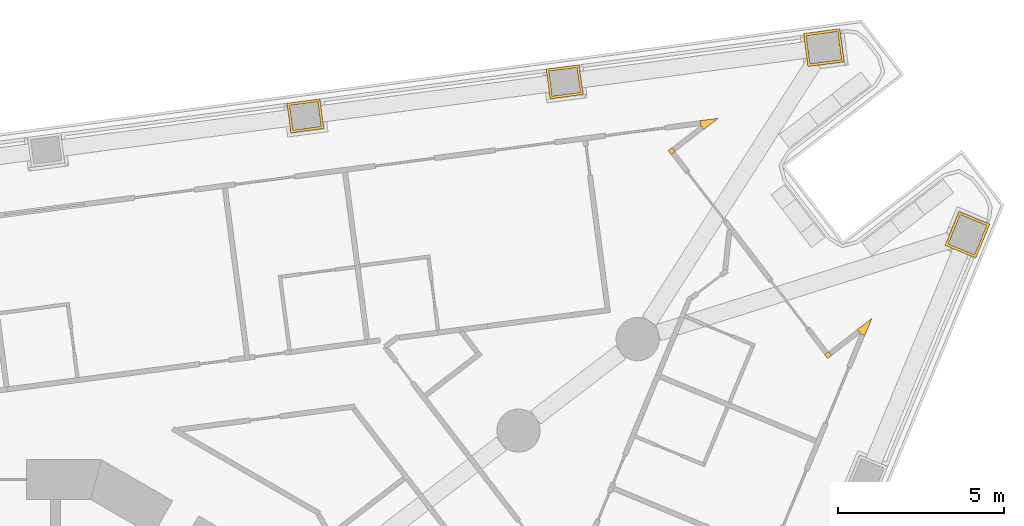
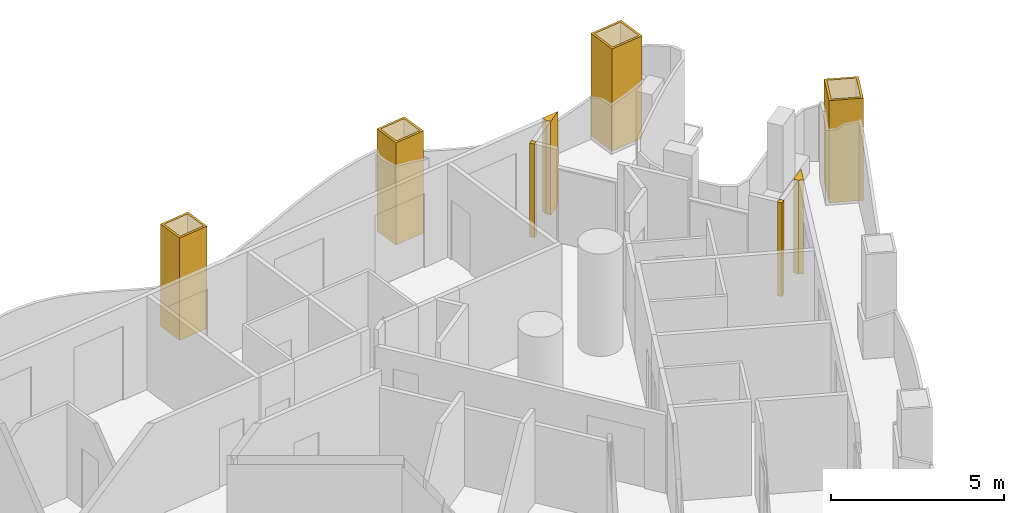
# One storey, part 18 of 19: 8 coverings.
"""IFC4 building model written with IfcOpenShell, lengths in metres."""

import ifcopenshell
import ifcopenshell.guid

model = None  # the IFC model being written
_history = None  # IfcOwnerHistory: only IFC2X3 demands one
_inside = {}  # id of a spatial element -> (the spatial element, [elements in it])
_under = {}  # id of a project, library or spatial element -> (it, [spatial elements below it])
_declared = {}  # id of a project -> (the project, [libraries it declares])
_typed = {}  # id of a type object -> (the type object, [elements of that type])
_made_of = {}  # id of a material, layer set ... -> (it, [elements and type objects made of it])


def new_model(schema):
    """Start an empty IFC model of exactly this schema.

    Asked for "IFC4X3", IfcOpenShell would pick the latest addendum, in which some entities
    have other attributes; the version numbers below select the first issue.
    IFC2X3 requires an IfcOwnerHistory on every rooted entity: one is made here for all.
    """
    global model, _history
    if schema == "IFC4X3":
        model = ifcopenshell.file(schema_version=(4, 3, 0, 0))
    else:
        model = ifcopenshell.file(schema=schema)
    _inside.clear()
    _under.clear()
    _declared.clear()
    _typed.clear()
    _made_of.clear()
    _history = None
    if model.schema == "IFC2X3":
        org = make("IfcOrganization", Name="unknown")
        user = make(
            "IfcPersonAndOrganization",
            ThePerson=make("IfcPerson", FamilyName="unknown"),
            TheOrganization=org,
        )
        app = make(
            "IfcApplication",
            ApplicationDeveloper=org,
            Version="unknown",
            ApplicationFullName="unknown",
            ApplicationIdentifier="unknown",
        )
        _history = make(
            "IfcOwnerHistory",
            OwningUser=user,
            OwningApplication=app,
            ChangeAction="ADDED",
            CreationDate=0,
        )
    return model


def make(cls, **values):
    """One entity of the class cls with the attributes given. An attribute that is None is left unset."""
    return model.create_entity(
        cls, **{name: value for name, value in values.items() if value is not None}
    )


def rooted(cls, **values):
    """An entity with a GlobalId (a new one), such as an element, a storey or a relation."""
    return make(cls, GlobalId=ifcopenshell.guid.new(), OwnerHistory=_history, **values)


def si_unit(unit_type, name, prefix=None):
    """IfcSIUnit, for example si_unit("LENGTHUNIT", "METRE", prefix="MILLI")."""
    return make("IfcSIUnit", UnitType=unit_type, Prefix=prefix, Name=name)


def assignment(units):
    """IfcUnitAssignment: the units of a project."""
    return None if units is None else make("IfcUnitAssignment", Units=units)


def point(xyz):
    """IfcCartesianPoint."""
    return None if xyz is None else make("IfcCartesianPoint", Coordinates=xyz)


def direction(xyz):
    """IfcDirection."""
    return None if xyz is None else make("IfcDirection", DirectionRatios=xyz)


def frame(location, z_axis=None, x_axis=None):
    """IfcAxis2Placement3D, a coordinate frame: its origin and axes. An axis left out is left unset."""
    return make(
        "IfcAxis2Placement3D",
        Location=point(location),
        Axis=direction(z_axis),
        RefDirection=direction(x_axis),
    )


def origin():
    """The frame at (0, 0, 0) with its axes left unset."""
    return frame((0.0, 0.0, 0.0))


def place(relative_to, where):
    """IfcLocalPlacement: puts the frame where relative to a parent placement (None: the world)."""
    return make(
        "IfcLocalPlacement", PlacementRelTo=relative_to, RelativePlacement=where
    )


def context(
    kind, dimensions, precision=None, world=None, true_north=None, identifier=None
):
    """IfcGeometricRepresentationContext, for example the 3D "Model" context."""
    return make(
        "IfcGeometricRepresentationContext",
        ContextIdentifier=identifier,
        ContextType=kind,
        CoordinateSpaceDimension=dimensions,
        Precision=precision,
        WorldCoordinateSystem=world,
        TrueNorth=true_north,
    )


def subcontext(parent, identifier, kind, view, scale=None):
    """IfcGeometricRepresentationSubContext, for example "Body" below "Model"."""
    return make(
        "IfcGeometricRepresentationSubContext",
        ContextIdentifier=identifier,
        ContextType=kind,
        ParentContext=parent,
        TargetScale=scale,
        TargetView=view,
    )


def project(units=None, contexts=None):
    """IfcProject with its units and contexts."""
    return rooted(
        "IfcProject",
        Name="project",
        RepresentationContexts=contexts,
        UnitsInContext=assignment(units),
    )


def spatial(cls, under=None, at=None, **own):
    """A site, building, storey or space (cls), placed at a placement, below another one or the project."""
    s = rooted(cls, ObjectPlacement=at, **own)
    if under is not None:
        _under.setdefault(under.id(), (under, []))[1].append(s)
    return s


def polyline(points):
    """IfcPolyline through the points."""
    return make("IfcPolyline", Points=[point(p) for p in points])


def outline(outer, holes=None, kind="AREA"):
    """IfcArbitraryClosedProfileDef: a profile drawn as a closed curve; with holes, ...WithVoids."""
    if holes is None:
        return make("IfcArbitraryClosedProfileDef", ProfileType=kind, OuterCurve=outer)
    return make(
        "IfcArbitraryProfileDefWithVoids",
        ProfileType=kind,
        OuterCurve=outer,
        InnerCurves=holes,
    )


def extrude(swept, where, along, depth):
    """IfcExtrudedAreaSolid: the profile swept, set in the frame where, extruded along a direction by depth."""
    return make(
        "IfcExtrudedAreaSolid",
        SweptArea=swept,
        Position=where,
        ExtrudedDirection=direction(along),
        Depth=depth,
    )


def shape(context_of_items, identifier, shape_type, items):
    """IfcShapeRepresentation: the items that make up one representation, for example the "Body"."""
    return make(
        "IfcShapeRepresentation",
        ContextOfItems=context_of_items,
        RepresentationIdentifier=identifier,
        RepresentationType=shape_type,
        Items=items,
    )


def material(Name=None, Category=None):
    """IfcMaterial."""
    return make("IfcMaterial", Name=Name, Category=Category)


def layer(
    of_material, thickness, ventilated=None, Name=None, Category=None, Priority=None
):
    """IfcMaterialLayer: one layer of a wall or slab, of a material (None: an air gap)."""
    return make(
        "IfcMaterialLayer",
        Material=of_material,
        LayerThickness=thickness,
        IsVentilated=ventilated,
        Name=Name,
        Category=Category,
        Priority=Priority,
    )


def layer_set(layers, Name=None):
    """IfcMaterialLayerSet."""
    return make("IfcMaterialLayerSet", MaterialLayers=layers, LayerSetName=Name)


def made_of(thing, what):
    """Note that an element or type object is made of a material, layer set ...; save() writes the relation."""
    if what is not None:
        _made_of.setdefault(what.id(), (what, []))[1].append(thing)
    return thing


def type_object(cls, material=None, **own):
    """A type object (cls), such as IfcWallType, which elements share."""
    return made_of(rooted(cls, **own), material)


def element(
    cls,
    number,
    at=None,
    inside=None,
    cuts=None,
    type_object=None,
    material=None,
    context=None,
    identifier="Body",
    shape_type=None,
    held_by="IfcProductDefinitionShape",
    body=None,
    shapes=None,
    **own,
):
    """One element of the class cls, such as IfcWall. Its Tag is "e" and its number.

    at: its placement. inside: the storey or other place that contains it. cuts: it is an
    opening in that element (IfcRelVoidsElement). A single representation is given by context,
    identifier, shape_type and body (its items); several are given by shapes. held_by: the class
    of the entity that holds the representations. save() writes the other relations.
    """
    e = rooted(cls, Tag="e%d" % number, ObjectPlacement=at, **own)
    if body is not None:
        shapes = [shape(context, identifier, shape_type, body)]
    if shapes is not None:
        e.Representation = make(held_by, Representations=shapes)
    if inside is not None:
        _inside.setdefault(inside.id(), (inside, []))[1].append(e)
    if cuts is not None:
        rooted(
            "IfcRelVoidsElement", RelatingBuildingElement=cuts, RelatedOpeningElement=e
        )
    if type_object is not None:
        _typed.setdefault(type_object.id(), (type_object, []))[1].append(e)
    return made_of(e, material)


def aggregate(whole, parts):
    """IfcRelAggregates: a whole, such as a stair, and the parts it consists of."""
    return rooted("IfcRelAggregates", RelatingObject=whole, RelatedObjects=parts)


def save(model, path):
    """Write the relations noted so far, then the file.

    IfcRelAggregates (storeys below a building ...), IfcRelContainedInSpatialStructure (elements
    in a storey), IfcRelDefinesByType, IfcRelAssociatesMaterial and IfcRelDeclares: one each for
    every whole, place, type object, material and project.
    """
    for whole, parts in _under.values():
        aggregate(whole, parts)
    for where, things in _inside.values():
        rooted(
            "IfcRelContainedInSpatialStructure",
            RelatedElements=things,
            RelatingStructure=where,
        )
    for kind, things in _typed.values():
        rooted("IfcRelDefinesByType", RelatedObjects=things, RelatingType=kind)
    for what, things in _made_of.values():
        rooted("IfcRelAssociatesMaterial", RelatedObjects=things, RelatingMaterial=what)
    for by, libraries in _declared.values():
        rooted("IfcRelDeclares", RelatingContext=by, RelatedDefinitions=libraries)
    model.write(path)


model = new_model("IFC4")

# Units and contexts
model_context = context("Model", 3, precision=1e-05, world=origin(), true_north=direction((0.0, 1.0)))
body_context = subcontext(model_context, "Body", "Model", "MODEL_VIEW")
ifc_project = project(units=[si_unit("LENGTHUNIT", "METRE"), si_unit("AREAUNIT", "SQUARE_METRE"), si_unit("VOLUMEUNIT", "CUBIC_METRE"), si_unit("PLANEANGLEUNIT", "RADIAN"), si_unit("MASSUNIT", "GRAM", prefix="KILO")], contexts=[model_context])

# Site, building, storey
site_placement = place(None, origin())
site = spatial("IfcSite", under=ifc_project, at=site_placement, CompositionType="ELEMENT")
building_placement = place(site_placement, origin())
building = spatial("IfcBuilding", under=site, at=building_placement, Name="Trine Commons Tower", CompositionType="ELEMENT")
storey_placement = place(building_placement, frame((0.0, 0.0, 75.60009765625)))
storey = spatial("IfcBuildingStorey", under=building, at=storey_placement, Name="L18", CompositionType="ELEMENT", Elevation=75.60009765625)

# Coverings
ifc_material_1 = material(Name="Aluminium-framed insulated wall panel", Category="aluminium")
ifc_layer_1 = layer(ifc_material_1, 0.14990234375)
ifc_layer_set_1 = layer_set([ifc_layer_1], Name="Aluminium-framed insulated wall panel")
covering_type_1 = type_object("IfcCoveringType", Name="Glazing corner post, aluminium", PredefinedType="CLADDING", material=ifc_layer_set_1)
covering_1_placement = place(storey_placement, origin())
element("IfcCovering", 1, at=covering_1_placement, inside=storey, type_object=covering_type_1, Name="Glazing corner post 2-05", PredefinedType="CLADDING", context=body_context, shape_type="SweptSolid", body=[
    extrude(outline(polyline([(101.056396484375, 83.434326171875), (101.50048828125, 83.775146484375), (100.945556640625, 83.7021484375), (100.965087890625, 83.553466796875), (101.056396484375, 83.434326171875)])), origin(), (0.0, 0.0, 1.0), 3.2998046875),
])
covering_2_placement = place(storey_placement, origin())
element("IfcCovering", 2, at=covering_2_placement, inside=storey, type_object=covering_type_1, Name="Glazing corner post 2-06", PredefinedType="CLADDING", context=body_context, shape_type="SweptSolid", body=[
    extrude(outline(polyline([(100.076171875, 82.68212890625), (100.195068359375, 82.7734375), (100.103759765625, 82.892333984375), (99.98486328125, 82.801025390625), (100.076171875, 82.68212890625)])), origin(), (0.0, 0.0, 1.0), 3.2998046875),
])
covering_3_placement = place(storey_placement, origin())
element("IfcCovering", 3, at=covering_3_placement, inside=storey, type_object=covering_type_1, Name="Glazing corner post 2-07", PredefinedType="CLADDING", context=body_context, shape_type="SweptSolid", body=[
    extrude(outline(polyline([(104.6904296875, 76.66845703125), (104.78173828125, 76.549560546875), (104.90087890625, 76.640869140625), (104.8095703125, 76.759765625), (104.6904296875, 76.66845703125)])), origin(), (0.0, 0.0, 1.0), 3.2998046875),
])
covering_4_placement = place(storey_placement, origin())
element("IfcCovering", 4, at=covering_4_placement, inside=storey, type_object=covering_type_1, Name="Glazing corner post 2-08", PredefinedType="CLADDING", context=body_context, shape_type="SweptSolid", body=[
    extrude(outline(polyline([(105.90087890625, 77.244384765625), (106.114990234375, 77.761474609375), (105.6708984375, 77.4208984375), (105.76220703125, 77.3017578125), (105.90087890625, 77.244384765625)])), origin(), (0.0, 0.0, 1.0), 3.2998046875),
])
ifc_material_2 = material(Name="Limestone, honed", Category="masonry")
ifc_layer_2 = layer(ifc_material_2, 0.074951171875)
ifc_layer_set_2 = layer_set([ifc_layer_2], Name="Limestone, honed")
covering_type_2 = type_object("IfcCoveringType", Name="Limestone column cladding 75", PredefinedType="CLADDING", material=ifc_layer_set_2)
covering_5_placement = place(storey_placement, origin())
element("IfcCovering", 5, at=covering_5_placement, inside=storey, type_object=covering_type_2, Name="Limestone pier cladding 2-14", PredefinedType="CLADDING", context=body_context, shape_type="SweptSolid", body=[
    extrude(outline(polyline([(89.636962890625, 83.464111328125), (89.519287109375, 84.356201171875), (88.52783203125, 84.225830078125), (88.6455078125, 83.33349609375), (89.636962890625, 83.464111328125)]), holes=[polyline([(89.552734375, 83.528564453125), (89.454833984375, 84.272216796875), (88.612060546875, 84.1611328125), (88.7099609375, 83.41748046875), (89.552734375, 83.528564453125)])]), origin(), (0.0, 0.0, 1.0), 3.599853515625),
])
covering_6_placement = place(storey_placement, origin())
element("IfcCovering", 6, at=covering_6_placement, inside=storey, type_object=covering_type_2, Name="Limestone pier cladding 2-15", PredefinedType="CLADDING", context=body_context, shape_type="SweptSolid", body=[
    extrude(outline(polyline([(97.43017578125, 84.489990234375), (97.312744140625, 85.38232421875), (96.3212890625, 85.251708984375), (96.438720703125, 84.359619140625), (97.43017578125, 84.489990234375)]), holes=[polyline([(97.345947265625, 84.5546875), (97.248046875, 85.298095703125), (96.405517578125, 85.187255859375), (96.50341796875, 84.443603515625), (97.345947265625, 84.5546875)])]), origin(), (0.0, 0.0, 1.0), 3.599853515625),
])
covering_7_placement = place(storey_placement, origin())
element("IfcCovering", 7, at=covering_7_placement, inside=storey, type_object=covering_type_2, Name="Limestone pier cladding 2-16", PredefinedType="CLADDING", context=body_context, shape_type="SweptSolid", body=[
    extrude(outline(polyline([(105.279541015625, 85.472900390625), (105.14892578125, 86.46435546875), (104.058349609375, 86.32080078125), (104.18896484375, 85.329345703125), (105.279541015625, 85.472900390625)]), holes=[polyline([(105.1953125, 85.53759765625), (105.08447265625, 86.38037109375), (104.142578125, 86.25634765625), (104.25341796875, 85.41357421875), (105.1953125, 85.53759765625)])]), origin(), (0.0, 0.0, 1.0), 3.599853515625),
])
covering_8_placement = place(storey_placement, origin())
element("IfcCovering", 8, at=covering_8_placement, inside=storey, type_object=covering_type_2, Name="Limestone pier cladding 2-17", PredefinedType="CLADDING", context=body_context, shape_type="SweptSolid", body=[
    extrude(outline(polyline([(109.65673828125, 80.589599609375), (108.73291015625, 80.972412109375), (108.31201171875, 79.9560546875), (109.23583984375, 79.5732421875), (109.65673828125, 80.589599609375)]), holes=[polyline([(109.558837890625, 80.549072265625), (108.7734375, 80.874267578125), (108.409912109375, 79.99658203125), (109.1953125, 79.67138671875), (109.558837890625, 80.549072265625)])]), origin(), (0.0, 0.0, 1.0), 3.599853515625),
])

save(model, "model.ifc")
